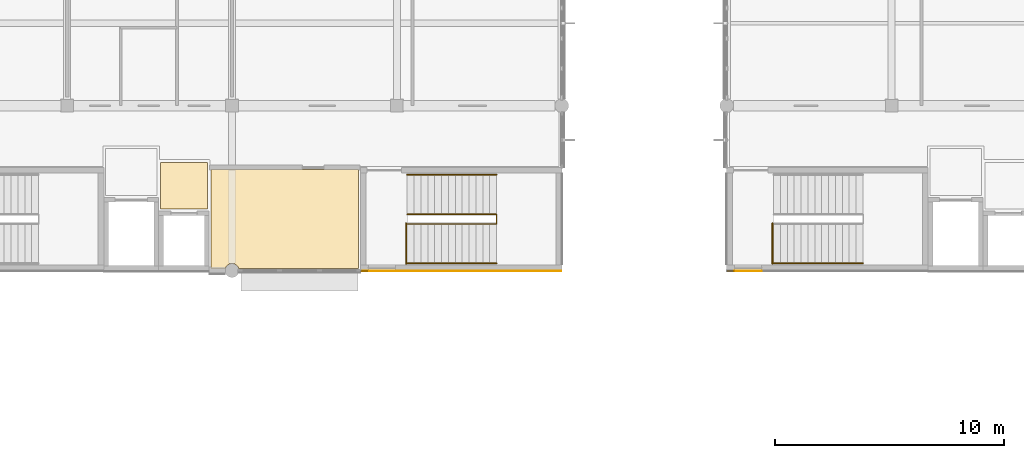
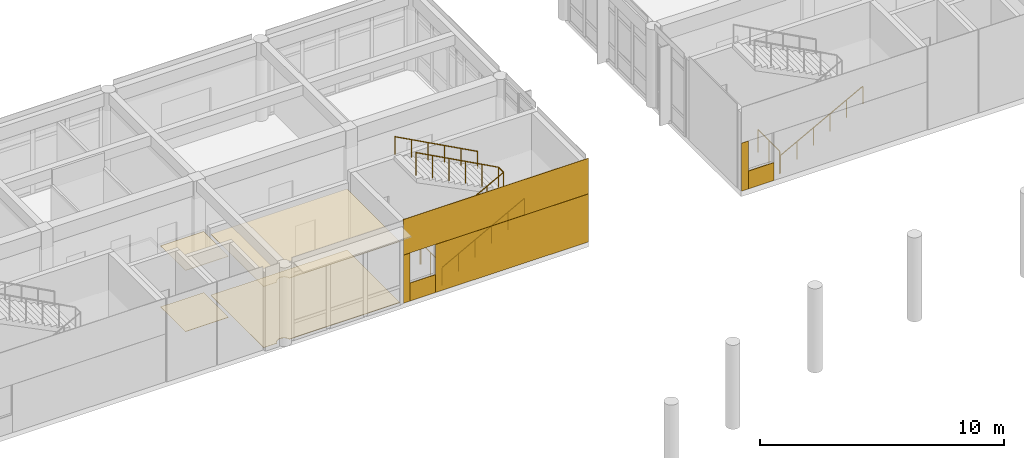
# One storey, part 26 of 29: 10 coverings, 6 railings.
"""IFC4 building model written with IfcOpenShell, lengths in metres."""

from ifc_helpers import new_model, si_unit, direction, frame, origin, origin_2d, place, context, subcontext, project, spatial, polyline, rectangle, circle, outline, extrude, material, layer, layer_set, type_object, element, save


model = new_model("IFC4")

# Units and contexts
model_context = context("Model", 3, precision=1e-05, world=origin(), true_north=direction((0.0, 1.0)))
body_context = subcontext(model_context, "Body", "Model", "MODEL_VIEW")
ifc_project = project(units=[si_unit("LENGTHUNIT", "METRE"), si_unit("AREAUNIT", "SQUARE_METRE"), si_unit("VOLUMEUNIT", "CUBIC_METRE"), si_unit("PLANEANGLEUNIT", "RADIAN"), si_unit("MASSUNIT", "GRAM", prefix="KILO")], contexts=[model_context])

# Site, building, storey
site_placement = place(None, origin())
site = spatial("IfcSite", under=ifc_project, at=site_placement, CompositionType="ELEMENT")
building_placement = place(site_placement, origin())
building = spatial("IfcBuilding", under=site, at=building_placement, Name="Namkhue Oval Health Centre", CompositionType="ELEMENT")
storey_placement = place(building_placement, frame((0.0, 0.0, 18.0)))
storey = spatial("IfcBuildingStorey", under=building, at=storey_placement, Name="L04", CompositionType="ELEMENT", Elevation=18.0)

# Coverings
ifc_material_1 = material(Name="Acoustic mineral-fibre cleanroom ceiling", Category="gypsum")
ifc_layer_1 = layer(ifc_material_1, 0.02001953125)
ifc_layer_set_1 = layer_set([ifc_layer_1], Name="Acoustic mineral-fibre cleanroom ceiling")
covering_type_1 = type_object("IfcCoveringType", Name="ACOUSTIC CLEANROOM CEILING 20", PredefinedType="CEILING", material=ifc_layer_set_1)
covering_1_placement = place(storey_placement, frame((0.0, 0.0, 3.050048828125)))
element("IfcCovering", 1, at=covering_1_placement, inside=storey, type_object=covering_type_1, Name="Acoustic Ceiling L04-LL2 Lift Lobby LF-02", PredefinedType="CEILING", context=body_context, shape_type="SweptSolid", body=[
    extrude(outline(polyline([(68.8798828125, 92.679931640625), (68.8798828125, 94.719970703125), (70.919921875, 94.719970703125), (70.919921875, 92.679931640625), (68.8798828125, 92.679931640625)])), origin(), (0.0, 0.0, 1.0), 0.02001953125),
])
covering_2_placement = place(storey_placement, frame((0.0, 0.0, 3.050048828125)))
element("IfcCovering", 2, at=covering_2_placement, inside=storey, type_object=covering_type_1, Name="Acoustic Ceiling L04-208 Thyroid Endocrine Examination", PredefinedType="CEILING", context=body_context, shape_type="SweptSolid", body=[
    extrude(outline(polyline([(72.297607421875, 90.0849609375), (72.2685546875, 90.155029296875), (72.21923828125, 90.21923828125), (72.155029296875, 90.2685546875), (72.080078125, 90.29931640625), (72.0, 90.31005859375), (71.919921875, 90.29931640625), (71.844970703125, 90.2685546875), (71.78076171875, 90.21923828125), (71.7314453125, 90.155029296875), (71.702392578125, 90.0849609375), (71.080078125, 90.0849609375), (71.080078125, 94.419921875), (77.52001953125, 94.419921875), (77.52001953125, 90.0849609375), (72.297607421875, 90.0849609375)])), origin(), (0.0, 0.0, 1.0), 0.02001953125),
])
ifc_material_2 = material(Name="Homogeneous anti-bacterial clinical vinyl flooring", Category="plastic")
ifc_layer_2 = layer(ifc_material_2, 0.014892578125)
ifc_layer_set_2 = layer_set([ifc_layer_2], Name="Homogeneous anti-bacterial clinical vinyl flooring")
covering_type_2 = type_object("IfcCoveringType", Name="CLINICAL ANTIBACTERIAL VINYL FLOORING 15", PredefinedType="FLOORING", material=ifc_layer_set_2)
covering_3_placement = place(storey_placement, origin())
element("IfcCovering", 3, at=covering_3_placement, inside=storey, type_object=covering_type_2, Name="Clinical Flooring L04-LL2 Lift Lobby LF-02", PredefinedType="FLOORING", context=body_context, shape_type="SweptSolid", body=[
    extrude(outline(polyline([(68.8798828125, 92.679931640625), (68.8798828125, 94.719970703125), (70.919921875, 94.719970703125), (70.919921875, 92.679931640625), (68.8798828125, 92.679931640625)])), origin(), (0.0, 0.0, 1.0), 0.014892578125),
])
covering_4_placement = place(storey_placement, origin())
element("IfcCovering", 4, at=covering_4_placement, inside=storey, type_object=covering_type_2, Name="Clinical Flooring L04-208 Thyroid Endocrine Examination", PredefinedType="FLOORING", context=body_context, shape_type="SweptSolid", body=[
    extrude(outline(polyline([(72.297607421875, 90.0849609375), (72.2685546875, 90.155029296875), (72.21923828125, 90.21923828125), (72.155029296875, 90.2685546875), (72.080078125, 90.29931640625), (72.0, 90.31005859375), (71.919921875, 90.29931640625), (71.844970703125, 90.2685546875), (71.78076171875, 90.21923828125), (71.7314453125, 90.155029296875), (71.702392578125, 90.0849609375), (71.080078125, 90.0849609375), (71.080078125, 94.419921875), (77.52001953125, 94.419921875), (77.52001953125, 90.0849609375), (72.297607421875, 90.0849609375)])), origin(), (0.0, 0.0, 1.0), 0.014892578125),
])

# Railings
ifc_material_3 = material(Name="Brushed stainless steel 316L balustrade with laminated glass infill", Category="steel")
railing_type_1 = type_object("IfcRailingType", Name="INTERIOR BALUSTRADE GUARD 1150", PredefinedType="BALUSTRADE", material=ifc_material_3)
railing_1_placement = place(storey_placement, frame((79.60009765625, 90.2900390625, 0.0)))
element("IfcRailing", 5, at=railing_1_placement, inside=storey, type_object=railing_type_1, Name="Stair ST-04 L04 Landing Well Edge Guard", PredefinedType="BALUSTRADE", context=body_context, shape_type="SweptSolid", body=[
    extrude(circle(Radius=0.02392578125, at=origin_2d()), frame((0.0, 0.0, 1.1259765625), z_axis=(0.0, 1.0, 0.0), x_axis=(-1.0, 0.0, 0.0)), (0.0, 0.0, 1.0), 1.77001953125),
    extrude(circle(Radius=0.02099609375, at=origin_2d()), origin(), (0.0, 0.0, 1.0), 1.101806640625),
    extrude(circle(Radius=0.02099609375, at=origin_2d()), frame((0.0, 0.885009765625, 0.0)), (0.0, 0.0, 1.0), 1.101806640625),
    extrude(circle(Radius=0.02099609375, at=origin_2d()), frame((0.0, 1.77001953125, 0.0)), (0.0, 0.0, 1.0), 1.101806640625),
])
railing_2_placement = place(storey_placement, frame((79.64990234375, 92.0400390625, 0.0)))
element("IfcRailing", 6, at=railing_2_placement, inside=storey, type_object=railing_type_1, Name="Stair ST-04 L04 Inner Well Guard", PredefinedType="BALUSTRADE", context=body_context, shape_type="SweptSolid", body=[
    extrude(circle(Radius=0.02392578125, at=origin_2d()), frame((0.0, 0.0, 1.1259765625), z_axis=(0.880469330154, 0.0, 0.474103109733), x_axis=(0.0, 1.0, 0.0)), (0.0, 0.0, 1.0), 4.4296875),
    extrude(circle(Radius=0.02392578125, at=origin_2d()), frame((3.900146484375, 0.0, 3.22607421875), z_axis=(0.0, 1.0, 0.0), x_axis=(-1.0, 0.0, 0.0)), (0.0, 0.0, 1.0), 0.419921875),
    extrude(circle(Radius=0.02392578125, at=origin_2d()), frame((3.900146484375, 0.419921875, 3.22607421875), z_axis=(-0.88049233674, 0.0, 0.474060381114), x_axis=(0.0, -1.0, 0.0)), (0.0, 0.0, 1.0), 4.429443359375),
    extrude(circle(Radius=0.02099609375, at=origin_2d()), origin(), (0.0, 0.0, 1.0), 1.101806640625),
    extrude(circle(Radius=0.02099609375, at=origin_2d()), frame((0.780029296875, 0.0, 0.419921875)), (0.0, 0.0, 1.0), 1.101806640625),
    extrude(circle(Radius=0.02099609375, at=origin_2d()), frame((1.56005859375, 0.0, 0.840087890625)), (0.0, 0.0, 1.0), 1.101806640625),
    extrude(circle(Radius=0.02099609375, at=origin_2d()), frame((2.340087890625, 0.0, 1.260009765625)), (0.0, 0.0, 1.0), 1.101806640625),
    extrude(circle(Radius=0.02099609375, at=origin_2d()), frame((3.1201171875, 0.0, 1.68017578125)), (0.0, 0.0, 1.0), 1.101806640625),
    extrude(circle(Radius=0.02099609375, at=origin_2d()), frame((3.900146484375, 0.0, 2.10009765625)), (0.0, 0.0, 1.0), 1.101806640625),
    extrude(circle(Radius=0.02099609375, at=origin_2d()), frame((3.900146484375, 0.419921875, 2.10009765625)), (0.0, 0.0, 1.0), 1.101806640625),
    extrude(circle(Radius=0.02099609375, at=origin_2d()), frame((3.1201171875, 0.419921875, 2.52001953125)), (0.0, 0.0, 1.0), 1.101806640625),
    extrude(circle(Radius=0.02099609375, at=origin_2d()), frame((2.340087890625, 0.419921875, 2.93994140625)), (0.0, 0.0, 1.0), 1.101806640625),
    extrude(circle(Radius=0.02099609375, at=origin_2d()), frame((1.56005859375, 0.419921875, 3.360107421875)), (0.0, 0.0, 1.0), 1.101806640625),
    extrude(circle(Radius=0.02099609375, at=origin_2d()), frame((0.780029296875, 0.419921875, 3.780029296875)), (0.0, 0.0, 1.0), 1.101806640625),
    extrude(circle(Radius=0.02099609375, at=origin_2d()), frame((0.0, 0.419921875, 4.199951171875)), (0.0, 0.0, 1.0), 1.101806640625),
])
railing_3_placement = place(storey_placement, frame((95.60009765625, 90.2900390625, 0.0)))
element("IfcRailing", 7, at=railing_3_placement, inside=storey, type_object=railing_type_1, Name="Stair ST-05 L04 Landing Well Edge Guard", PredefinedType="BALUSTRADE", context=body_context, shape_type="SweptSolid", body=[
    extrude(circle(Radius=0.02392578125, at=origin_2d()), frame((0.0, 0.0, 1.1259765625), z_axis=(0.0, 1.0, 0.0), x_axis=(-1.0, 0.0, 0.0)), (0.0, 0.0, 1.0), 1.77001953125),
    extrude(circle(Radius=0.02099609375, at=origin_2d()), origin(), (0.0, 0.0, 1.0), 1.101806640625),
    extrude(circle(Radius=0.02099609375, at=origin_2d()), frame((0.0, 0.885009765625, 0.0)), (0.0, 0.0, 1.0), 1.101806640625),
    extrude(circle(Radius=0.02099609375, at=origin_2d()), frame((0.0, 1.77001953125, 0.0)), (0.0, 0.0, 1.0), 1.101806640625),
])
ifc_material_4 = material(Name="Brushed stainless steel 304 tubular handrail", Category="steel")
railing_type_2 = type_object("IfcRailingType", Name="INTERIOR STAIR HANDRAIL 900", PredefinedType="HANDRAIL", material=ifc_material_4)
railing_4_placement = place(storey_placement, frame((79.64990234375, 90.320068359375, 0.0)))
element("IfcRailing", 8, at=railing_4_placement, inside=storey, type_object=railing_type_2, Name="Stair ST-04 L04 Flight 1 Handrail", PredefinedType="HANDRAIL", context=body_context, shape_type="SweptSolid", body=[
    extrude(circle(Radius=0.02392578125, at=origin_2d()), frame((0.0, 0.0, 0.8759765625), z_axis=(0.880469330154, 0.0, 0.474103109733), x_axis=(0.0, 1.0, 0.0)), (0.0, 0.0, 1.0), 4.4296875),
    extrude(circle(Radius=0.02099609375, at=origin_2d()), origin(), (0.0, 0.0, 1.0), 0.851806640625),
    extrude(circle(Radius=0.02099609375, at=origin_2d()), frame((0.780029296875, 0.0, 0.419921875)), (0.0, 0.0, 1.0), 0.851806640625),
    extrude(circle(Radius=0.02099609375, at=origin_2d()), frame((1.56005859375, 0.0, 0.840087890625)), (0.0, 0.0, 1.0), 0.851806640625),
    extrude(circle(Radius=0.02099609375, at=origin_2d()), frame((2.340087890625, 0.0, 1.260009765625)), (0.0, 0.0, 1.0), 0.851806640625),
    extrude(circle(Radius=0.02099609375, at=origin_2d()), frame((3.1201171875, 0.0, 1.68017578125)), (0.0, 0.0, 1.0), 0.851806640625),
    extrude(circle(Radius=0.02099609375, at=origin_2d()), frame((3.900146484375, 0.0, 2.10009765625)), (0.0, 0.0, 1.0), 0.851806640625),
])
railing_5_placement = place(storey_placement, frame((83.550048828125, 94.179931640625, 2.10009765625)))
element("IfcRailing", 9, at=railing_5_placement, inside=storey, type_object=railing_type_2, Name="Stair ST-04 L04 Flight 2 Handrail", PredefinedType="HANDRAIL", context=body_context, shape_type="SweptSolid", body=[
    extrude(circle(Radius=0.02392578125, at=origin_2d()), frame((0.0, 0.0, 0.8759765625), z_axis=(-0.88049233674, 0.0, 0.474060381114), x_axis=(0.0, -1.0, 0.0)), (0.0, 0.0, 1.0), 4.429443359375),
    extrude(circle(Radius=0.02099609375, at=origin_2d()), origin(), (0.0, 0.0, 1.0), 0.851806640625),
    extrude(circle(Radius=0.02099609375, at=origin_2d()), frame((-0.780029296875, 0.0, 0.419921875)), (0.0, 0.0, 1.0), 0.851806640625),
    extrude(circle(Radius=0.02099609375, at=origin_2d()), frame((-1.56005859375, 0.0, 0.83984375)), (0.0, 0.0, 1.0), 0.851806640625),
    extrude(circle(Radius=0.02099609375, at=origin_2d()), frame((-2.340087890625, 0.0, 1.260009765625)), (0.0, 0.0, 1.0), 0.851806640625),
    extrude(circle(Radius=0.02099609375, at=origin_2d()), frame((-3.1201171875, 0.0, 1.679931640625)), (0.0, 0.0, 1.0), 0.851806640625),
    extrude(circle(Radius=0.02099609375, at=origin_2d()), frame((-3.900146484375, 0.0, 2.099853515625)), (0.0, 0.0, 1.0), 0.851806640625),
])
railing_6_placement = place(storey_placement, frame((95.64990234375, 90.320068359375, 0.0)))
element("IfcRailing", 10, at=railing_6_placement, inside=storey, type_object=railing_type_2, Name="Stair ST-05 L04 Flight 1 Handrail", PredefinedType="HANDRAIL", context=body_context, shape_type="SweptSolid", body=[
    extrude(circle(Radius=0.02392578125, at=origin_2d()), frame((0.0, 0.0, 0.8759765625), z_axis=(0.880469330154, 0.0, 0.474103109733), x_axis=(0.0, 1.0, 0.0)), (0.0, 0.0, 1.0), 4.4296875),
    extrude(circle(Radius=0.02099609375, at=origin_2d()), origin(), (0.0, 0.0, 1.0), 0.851806640625),
    extrude(circle(Radius=0.02099609375, at=origin_2d()), frame((0.780029296875, 0.0, 0.419921875)), (0.0, 0.0, 1.0), 0.851806640625),
    extrude(circle(Radius=0.02099609375, at=origin_2d()), frame((1.56005859375, 0.0, 0.840087890625)), (0.0, 0.0, 1.0), 0.851806640625),
    extrude(circle(Radius=0.02099609375, at=origin_2d()), frame((2.340087890625, 0.0, 1.260009765625)), (0.0, 0.0, 1.0), 0.851806640625),
    extrude(circle(Radius=0.02099609375, at=origin_2d()), frame((3.1201171875, 0.0, 1.68017578125)), (0.0, 0.0, 1.0), 0.851806640625),
    extrude(circle(Radius=0.02099609375, at=origin_2d()), frame((3.900146484375, 0.0, 2.10009765625)), (0.0, 0.0, 1.0), 0.851806640625),
])

# Coverings
ifc_material_5 = material(Name="White glass-fibre reinforced concrete GRC rainscreen cladding", Category="concrete")
ifc_layer_3 = layer(ifc_material_5, 0.02490234375)
ifc_layer_set_3 = layer_set([ifc_layer_3], Name="White glass-fibre reinforced concrete GRC rainscreen cladding")
covering_type_3 = type_object("IfcCoveringType", Name="WHITE GRC RAINSCREEN CLADDING 25", PredefinedType="CLADDING", material=ifc_layer_set_3)
covering_5_placement = place(storey_placement, frame((82.0, 89.988037109375, 2.4150390625), z_axis=(0.0, 0.0, 1.0), x_axis=(1.0, 0.0, 0.0)))
element("IfcCovering", 11, at=covering_5_placement, inside=storey, type_object=covering_type_3, Name="Core SC-04 L04 Core S White GRC Cladding 1", PredefinedType="CLADDING", context=body_context, shape_type="SweptSolid", body=[
    extrude(rectangle(XDim=8.760009765625, YDim=0.02490234375, at=origin_2d()), origin(), (0.0, 0.0, 1.0), 1.77490234375),
])
covering_6_placement = place(storey_placement, frame((77.777587890625, 89.988037109375, 0.010009765625), z_axis=(0.0, 0.0, 1.0), x_axis=(1.0, 0.0, 0.0)))
element("IfcCovering", 12, at=covering_6_placement, inside=storey, type_object=covering_type_3, Name="Core SC-04 L04 Core S White GRC Cladding 2", PredefinedType="CLADDING", context=body_context, shape_type="SweptSolid", body=[
    extrude(rectangle(XDim=0.31494140625, YDim=0.02490234375, at=origin_2d()), origin(), (0.0, 0.0, 1.0), 2.39990234375),
])
covering_7_placement = place(storey_placement, frame((78.5400390625, 89.988037109375, 0.010009765625), z_axis=(0.0, 0.0, 1.0), x_axis=(1.0, 0.0, 0.0)))
element("IfcCovering", 13, at=covering_7_placement, inside=storey, type_object=covering_type_3, Name="Core SC-04 L04 Core S White GRC Cladding 3", PredefinedType="CLADDING", context=body_context, shape_type="SweptSolid", body=[
    extrude(rectangle(XDim=1.199951171875, YDim=0.02490234375, at=origin_2d()), origin(), (0.0, 0.0, 1.0), 0.89501953125),
])
covering_8_placement = place(storey_placement, frame((82.762451171875, 89.988037109375, 0.010009765625), z_axis=(0.0, 0.0, 1.0), x_axis=(1.0, 0.0, 0.0)))
element("IfcCovering", 14, at=covering_8_placement, inside=storey, type_object=covering_type_3, Name="Core SC-04 L04 Core S White GRC Cladding 4", PredefinedType="CLADDING", context=body_context, shape_type="SweptSolid", body=[
    extrude(rectangle(XDim=7.235107421875, YDim=0.02490234375, at=origin_2d()), origin(), (0.0, 0.0, 1.0), 2.39990234375),
])
covering_9_placement = place(storey_placement, frame((93.777587890625, 89.988037109375, 0.010009765625), z_axis=(0.0, 0.0, 1.0), x_axis=(1.0, 0.0, 0.0)))
element("IfcCovering", 15, at=covering_9_placement, inside=storey, type_object=covering_type_3, Name="Core SC-05 L04 Core S White GRC Cladding 2", PredefinedType="CLADDING", context=body_context, shape_type="SweptSolid", body=[
    extrude(rectangle(XDim=0.31494140625, YDim=0.02490234375, at=origin_2d()), origin(), (0.0, 0.0, 1.0), 2.39990234375),
])
covering_10_placement = place(storey_placement, frame((94.5400390625, 89.988037109375, 0.010009765625), z_axis=(0.0, 0.0, 1.0), x_axis=(1.0, 0.0, 0.0)))
element("IfcCovering", 16, at=covering_10_placement, inside=storey, type_object=covering_type_3, Name="Core SC-05 L04 Core S White GRC Cladding 3", PredefinedType="CLADDING", context=body_context, shape_type="SweptSolid", body=[
    extrude(rectangle(XDim=1.199951171875, YDim=0.02490234375, at=origin_2d()), origin(), (0.0, 0.0, 1.0), 0.89501953125),
])

save(model, "model.ifc")
